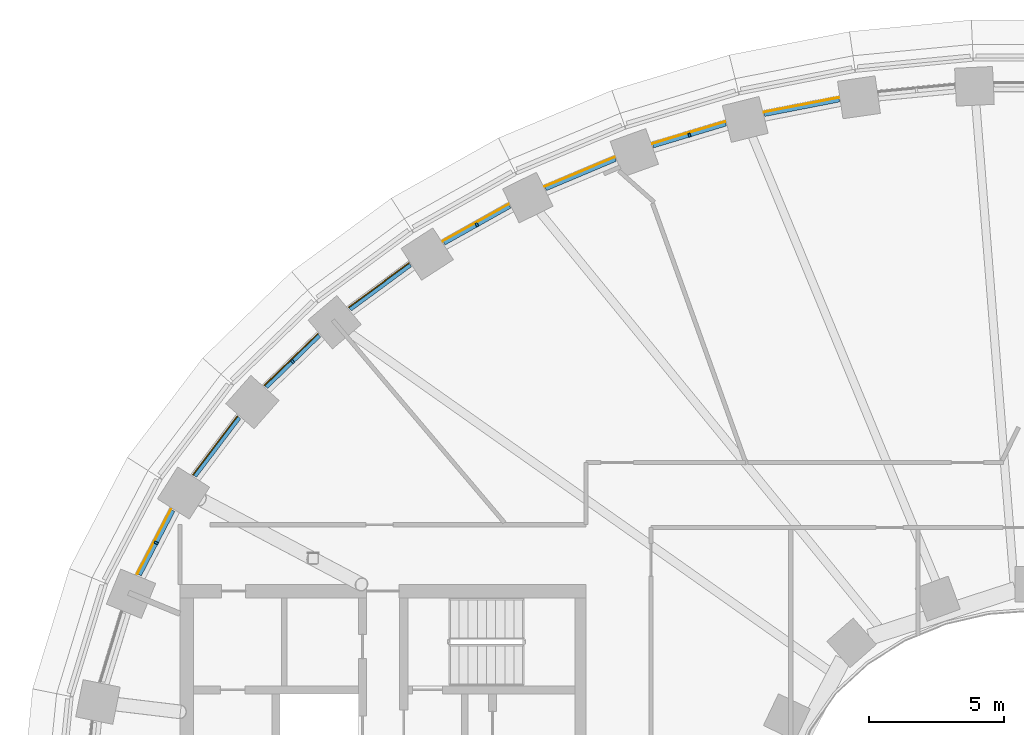
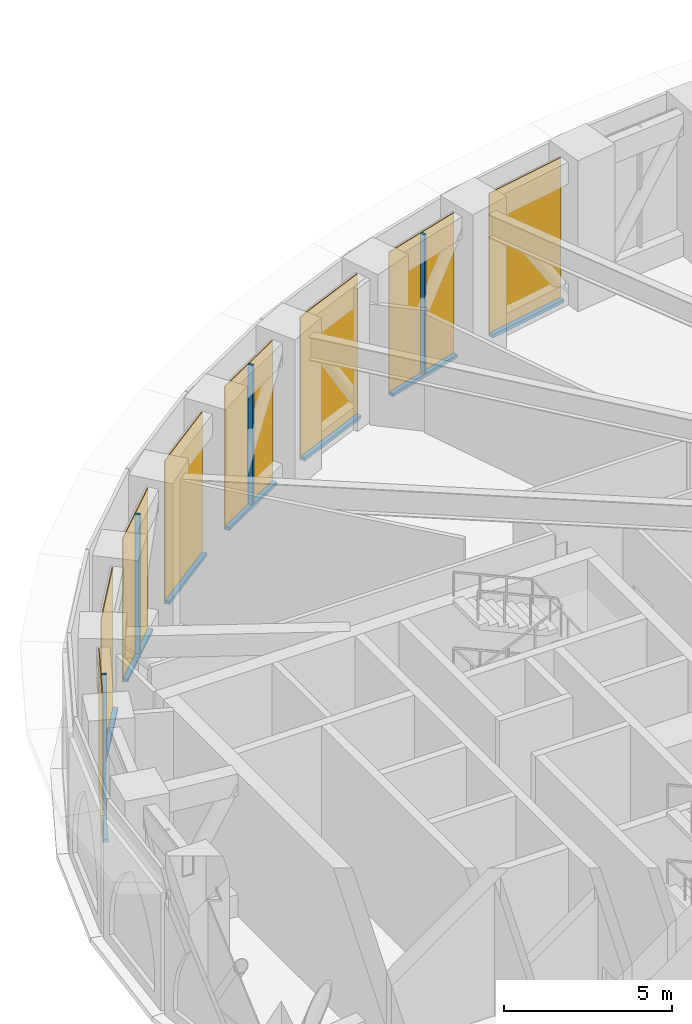
# One storey, part 16 of 25: 12 members, 8 curtain walls.
"""IFC4 building model written with IfcOpenShell, lengths in metres."""

from ifc_helpers import new_model, si_unit, direction, frame, origin, origin_2d, place, context, subcontext, project, spatial, polyline, rectangle, outline, extrude, material, layer, layer_set, material_profile, profile_set, type_object, element, aggregate, save


model = new_model("IFC4")

# Units and contexts
model_context = context("Model", 3, precision=1e-05, world=origin(), true_north=direction((0.0, 1.0)))
body_context = subcontext(model_context, "Body", "Model", "MODEL_VIEW")
ifc_project = project(units=[si_unit("LENGTHUNIT", "METRE"), si_unit("AREAUNIT", "SQUARE_METRE"), si_unit("VOLUMEUNIT", "CUBIC_METRE"), si_unit("PLANEANGLEUNIT", "RADIAN"), si_unit("MASSUNIT", "GRAM", prefix="KILO")], contexts=[model_context])

# Member
ifc_material_1 = material(Name="Aluminium 6063-T6 black anodised", Category="aluminium")
ifc_material_profile = material_profile(ifc_material_1, rectangle(XDim=0.14990234375, YDim=0.080078125, at=origin_2d()), Name="150x80")
ifc_profile_set = profile_set([ifc_material_profile], Name="Aluminium 6063-T6 black anodised")
member_type_1 = type_object("IfcMemberType", Name="ENV-MULLION-B-150", PredefinedType="MULLION", material=ifc_profile_set)
site_placement = place(None, origin())
building_placement = place(site_placement, origin())
storey_placement = place(building_placement, frame((0.0, 0.0, 82.5)))
member_1_placement = place(storey_placement, frame((-12.673828125, 25.098388671875, 0.1201171875), z_axis=(0.0, 0.0, 1.0), x_axis=(0.28817445525, -0.957577925467, 0.0)))
member_1 = element("IfcMember", 1, at=member_1_placement, type_object=member_type_1, Name="Mullion B chord 15", PredefinedType="MULLION", context=body_context, shape_type="SweptSolid", body=[
    extrude(rectangle(XDim=0.14990234375, YDim=0.080078125, at=origin_2d()), origin(), (0.0, 0.0, 1.0), 5.079833984375),
])

member_2_placement = place(storey_placement, frame((-20.525634765625, 21.780029296875, 0.1201171875), z_axis=(0.0, 0.0, 1.0), x_axis=(0.48942643941, -0.872044586249, 0.0)))
member_2 = element("IfcMember", 2, at=member_2_placement, type_object=member_type_1, Name="Mullion B chord 17", PredefinedType="MULLION", context=body_context, shape_type="SweptSolid", body=[
    extrude(rectangle(XDim=0.14990234375, YDim=0.080078125, at=origin_2d()), origin(), (0.0, 0.0, 1.0), 5.079833984375),
])

member_3_placement = place(storey_placement, frame((-27.3310546875, 16.73583984375, 0.1201171875), z_axis=(0.0, 0.0, 1.0), x_axis=(0.696842125038, -0.717224548362, 0.0)))
member_3 = element("IfcMember", 3, at=member_3_placement, type_object=member_type_1, Name="Mullion B chord 19", PredefinedType="MULLION", context=body_context, shape_type="SweptSolid", body=[
    extrude(rectangle(XDim=0.14990234375, YDim=0.080078125, at=origin_2d()), origin(), (0.0, 0.0, 1.0), 5.079833984375),
])

member_4_placement = place(storey_placement, frame((-32.37353515625, 10.029541015625, 0.1201171875), z_axis=(0.0, 0.0, 1.0), x_axis=(0.88673501754, -0.462278064231, 0.0)))
member_4 = element("IfcMember", 4, at=member_4_placement, type_object=member_type_1, Name="Mullion B chord 21", PredefinedType="MULLION", context=body_context, shape_type="SweptSolid", body=[
    extrude(rectangle(XDim=0.14990234375, YDim=0.080078125, at=origin_2d()), origin(), (0.0, 0.0, 1.0), 5.079833984375),
])

ifc_material_2 = material(Name="Aluminium 6063-T6 black anodised", Category="aluminium")
member_type_2 = type_object("IfcMemberType", Name="ENV-TRANSOM-B", PredefinedType="USERDEFINED", material=ifc_material_2)
member_5_placement = place(storey_placement, origin())
member_5 = element("IfcMember", 5, at=member_5_placement, type_object=member_type_2, Name="Transom B radial 14-15", ObjectType="TRANSOM", PredefinedType="USERDEFINED", context=body_context, shape_type="SweptSolid", body=[
    extrude(outline(polyline([(-7.145751953125, 26.468017578125), (-9.9208984375, 25.928466796875), (-9.884765625, 25.78271484375), (-7.124267578125, 26.319091796875), (-7.145751953125, 26.468017578125)])), origin(), (0.0, 0.0, 1.0), 0.1201171875),
])

member_6_placement = place(storey_placement, origin())
member_6 = element("IfcMember", 6, at=member_6_placement, type_object=member_type_2, Name="Transom B radial 15-16", ObjectType="TRANSOM", PredefinedType="USERDEFINED", context=body_context, shape_type="SweptSolid", body=[
    extrude(outline(polyline([(-11.344482421875, 25.57666015625), (-14.044677734375, 24.76416015625), (-13.993896484375, 24.622802734375), (-11.30859375, 25.430908203125), (-11.344482421875, 25.57666015625)])), origin(), (0.0, 0.0, 1.0), 0.1201171875),
])

member_7_placement = place(storey_placement, origin())
member_7 = element("IfcMember", 7, at=member_7_placement, type_object=member_type_2, Name="Transom B radial 16-17", ObjectType="TRANSOM", PredefinedType="USERDEFINED", context=body_context, shape_type="SweptSolid", body=[
    extrude(outline(polyline([(-15.427978515625, 24.2666015625), (-18.017333984375, 23.177978515625), (-17.951416015625, 23.04296875), (-15.377197265625, 24.12548828125), (-15.427978515625, 24.2666015625)])), origin(), (0.0, 0.0, 1.0), 0.1201171875),
])

member_8_placement = place(storey_placement, origin())
member_8 = element("IfcMember", 8, at=member_8_placement, type_object=member_type_2, Name="Transom B radial 17-18", ObjectType="TRANSOM", PredefinedType="USERDEFINED", context=body_context, shape_type="SweptSolid", body=[
    extrude(outline(polyline([(-19.34228515625, 22.530029296875), (-21.779296875, 21.162353515625), (-21.69775390625, 21.0361328125), (-19.2763671875, 22.39501953125), (-19.34228515625, 22.530029296875)])), origin(), (0.0, 0.0, 1.0), 0.1201171875),
])

member_9_placement = place(storey_placement, origin())
member_9 = element("IfcMember", 9, at=member_9_placement, type_object=member_type_2, Name="Transom B radial 18-19", ObjectType="TRANSOM", PredefinedType="USERDEFINED", context=body_context, shape_type="SweptSolid", body=[
    extrude(outline(polyline([(-23.0234375, 20.359375), (-25.258544921875, 18.712890625), (-25.161376953125, 18.598388671875), (-22.94189453125, 20.23291015625), (-23.0234375, 20.359375)])), origin(), (0.0, 0.0, 1.0), 0.1201171875),
])

member_10_placement = place(storey_placement, origin())
member_10 = element("IfcMember", 10, at=member_10_placement, type_object=member_type_2, Name="Transom B radial 19-20", ObjectType="TRANSOM", PredefinedType="USERDEFINED", context=body_context, shape_type="SweptSolid", body=[
    extrude(outline(polyline([(-26.394287109375, 17.750732421875), (-28.368896484375, 15.832275390625), (-28.256103515625, 15.732666015625), (-26.297119140625, 17.635986328125), (-26.394287109375, 17.750732421875)])), origin(), (0.0, 0.0, 1.0), 0.1201171875),
])

member_11_placement = place(storey_placement, origin())
member_11 = element("IfcMember", 11, at=member_11_placement, type_object=member_type_2, Name="Transom B radial 20-21", ObjectType="TRANSOM", PredefinedType="USERDEFINED", context=body_context, shape_type="SweptSolid", body=[
    extrude(outline(polyline([(-29.361083984375, 14.71044921875), (-31.00830078125, 12.537109375), (-30.881103515625, 12.45654296875), (-29.248291015625, 14.610595703125), (-29.361083984375, 14.71044921875)])), origin(), (0.0, 0.0, 1.0), 0.1201171875),
])

member_12_placement = place(storey_placement, origin())
member_12 = element("IfcMember", 12, at=member_12_placement, type_object=member_type_2, Name="Transom B radial 21-22", ObjectType="TRANSOM", PredefinedType="USERDEFINED", context=body_context, shape_type="SweptSolid", body=[
    extrude(outline(polyline([(-31.814697265625, 11.263671875), (-33.062744140625, 8.869384765625), (-32.92333984375, 8.8125), (-31.6875, 11.18310546875), (-31.814697265625, 11.263671875)])), origin(), (0.0, 0.0, 1.0), 0.1201171875),
])

# Site, building, storey
site = spatial("IfcSite", under=ifc_project, at=site_placement, CompositionType="ELEMENT")
building = spatial("IfcBuilding", under=site, at=building_placement, Name="Noorbagh Ring Tower", CompositionType="ELEMENT")
storey = spatial("IfcBuildingStorey", under=building, at=storey_placement, Name="L18", CompositionType="ELEMENT", Elevation=82.5)

# Curtain wall
ifc_material_3 = material(Name="Glass dark tinted laminated", Category="glass")
ifc_layer = layer(ifc_material_3, 0.031982421875)
ifc_layer_set = layer_set([ifc_layer], Name="Glass dark tinted laminated")
curtain_wall_type = type_object("IfcCurtainWallType", Name="ENV-CW-B", PredefinedType="NOTDEFINED", material=ifc_layer_set)
curtain_wall_1_placement = place(storey_placement, origin())
curtain_wall_1 = element("IfcCurtainWall", 13, at=curtain_wall_1_placement, inside=storey, type_object=curtain_wall_type, Name="Curtain wall B R14", PredefinedType="NOTDEFINED", context=body_context, shape_type="SweptSolid", body=[
    extrude(outline(polyline([(-7.150390625, 26.49951171875), (-9.928466796875, 25.95947265625), (-9.9208984375, 25.928466796875), (-7.145751953125, 26.468017578125), (-7.150390625, 26.49951171875)])), origin(), (0.0, 0.0, 1.0), 5.199951171875),
])

aggregate(curtain_wall_1, [member_5])

curtain_wall_2_placement = place(storey_placement, origin())
curtain_wall_2 = element("IfcCurtainWall", 14, at=curtain_wall_2_placement, inside=storey, type_object=curtain_wall_type, Name="Curtain wall B R15", PredefinedType="NOTDEFINED", context=body_context, shape_type="SweptSolid", body=[
    extrude(outline(polyline([(-11.352294921875, 25.60791015625), (-14.055419921875, 24.794189453125), (-14.044677734375, 24.76416015625), (-11.344482421875, 25.57666015625), (-11.352294921875, 25.60791015625)])), origin(), (0.0, 0.0, 1.0), 5.199951171875),
])

aggregate(curtain_wall_2, [member_1, member_6])

curtain_wall_3_placement = place(storey_placement, origin())
curtain_wall_3 = element("IfcCurtainWall", 15, at=curtain_wall_3_placement, inside=storey, type_object=curtain_wall_type, Name="Curtain wall B R16", PredefinedType="NOTDEFINED", context=body_context, shape_type="SweptSolid", body=[
    extrude(outline(polyline([(-15.438720703125, 24.296875), (-18.031494140625, 23.206787109375), (-18.017333984375, 23.177978515625), (-15.427978515625, 24.2666015625), (-15.438720703125, 24.296875)])), origin(), (0.0, 0.0, 1.0), 5.199951171875),
])

aggregate(curtain_wall_3, [member_7])

curtain_wall_4_placement = place(storey_placement, origin())
curtain_wall_4 = element("IfcCurtainWall", 16, at=curtain_wall_4_placement, inside=storey, type_object=curtain_wall_type, Name="Curtain wall B R17", PredefinedType="NOTDEFINED", context=body_context, shape_type="SweptSolid", body=[
    extrude(outline(polyline([(-19.356201171875, 22.558837890625), (-21.796630859375, 21.189208984375), (-21.779296875, 21.162353515625), (-19.34228515625, 22.530029296875), (-19.356201171875, 22.558837890625)])), origin(), (0.0, 0.0, 1.0), 5.199951171875),
])

aggregate(curtain_wall_4, [member_2, member_8])

curtain_wall_5_placement = place(storey_placement, origin())
curtain_wall_5 = element("IfcCurtainWall", 17, at=curtain_wall_5_placement, inside=storey, type_object=curtain_wall_type, Name="Curtain wall B R18", PredefinedType="NOTDEFINED", context=body_context, shape_type="SweptSolid", body=[
    extrude(outline(polyline([(-23.041015625, 20.38623046875), (-25.279296875, 18.737548828125), (-25.258544921875, 18.712890625), (-23.0234375, 20.359375), (-23.041015625, 20.38623046875)])), origin(), (0.0, 0.0, 1.0), 5.199951171875),
])

aggregate(curtain_wall_5, [member_9])

curtain_wall_6_placement = place(storey_placement, origin())
curtain_wall_6 = element("IfcCurtainWall", 18, at=curtain_wall_6_placement, inside=storey, type_object=curtain_wall_type, Name="Curtain wall B R19", PredefinedType="NOTDEFINED", context=body_context, shape_type="SweptSolid", body=[
    extrude(outline(polyline([(-26.4150390625, 17.775146484375), (-28.392822265625, 15.853515625), (-28.368896484375, 15.832275390625), (-26.394287109375, 17.750732421875), (-26.4150390625, 17.775146484375)])), origin(), (0.0, 0.0, 1.0), 5.199951171875),
])

aggregate(curtain_wall_6, [member_3, member_10])

curtain_wall_7_placement = place(storey_placement, origin())
curtain_wall_7 = element("IfcCurtainWall", 19, at=curtain_wall_7_placement, inside=storey, type_object=curtain_wall_type, Name="Curtain wall B R20", PredefinedType="NOTDEFINED", context=body_context, shape_type="SweptSolid", body=[
    extrude(outline(polyline([(-29.385009765625, 14.731689453125), (-31.035400390625, 12.55419921875), (-31.00830078125, 12.537109375), (-29.361083984375, 14.71044921875), (-29.385009765625, 14.731689453125)])), origin(), (0.0, 0.0, 1.0), 5.199951171875),
])

aggregate(curtain_wall_7, [member_11])

curtain_wall_8_placement = place(storey_placement, origin())
curtain_wall_8 = element("IfcCurtainWall", 20, at=curtain_wall_8_placement, inside=storey, type_object=curtain_wall_type, Name="Curtain wall B R21", PredefinedType="NOTDEFINED", context=body_context, shape_type="SweptSolid", body=[
    extrude(outline(polyline([(-31.841796875, 11.28076171875), (-33.092529296875, 8.881591796875), (-33.062744140625, 8.869384765625), (-31.814697265625, 11.263671875), (-31.841796875, 11.28076171875)])), origin(), (0.0, 0.0, 1.0), 5.199951171875),
])

aggregate(curtain_wall_8, [member_4, member_12])

save(model, "model.ifc")
